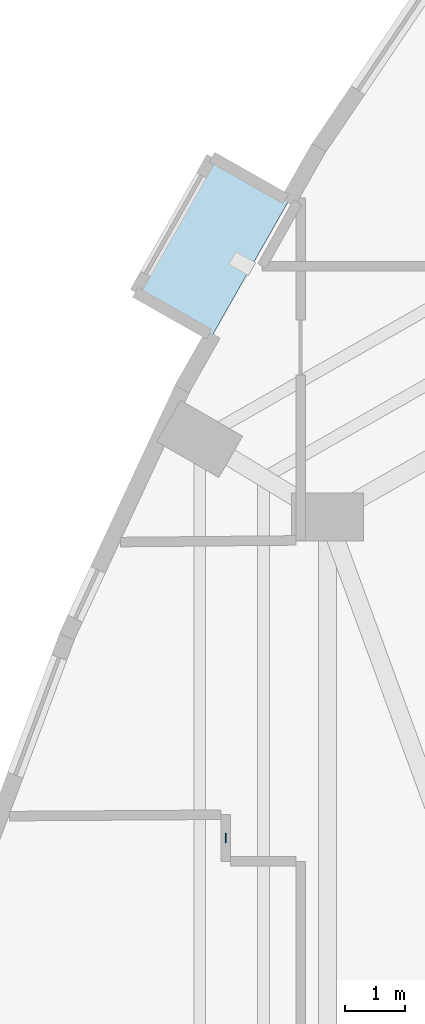
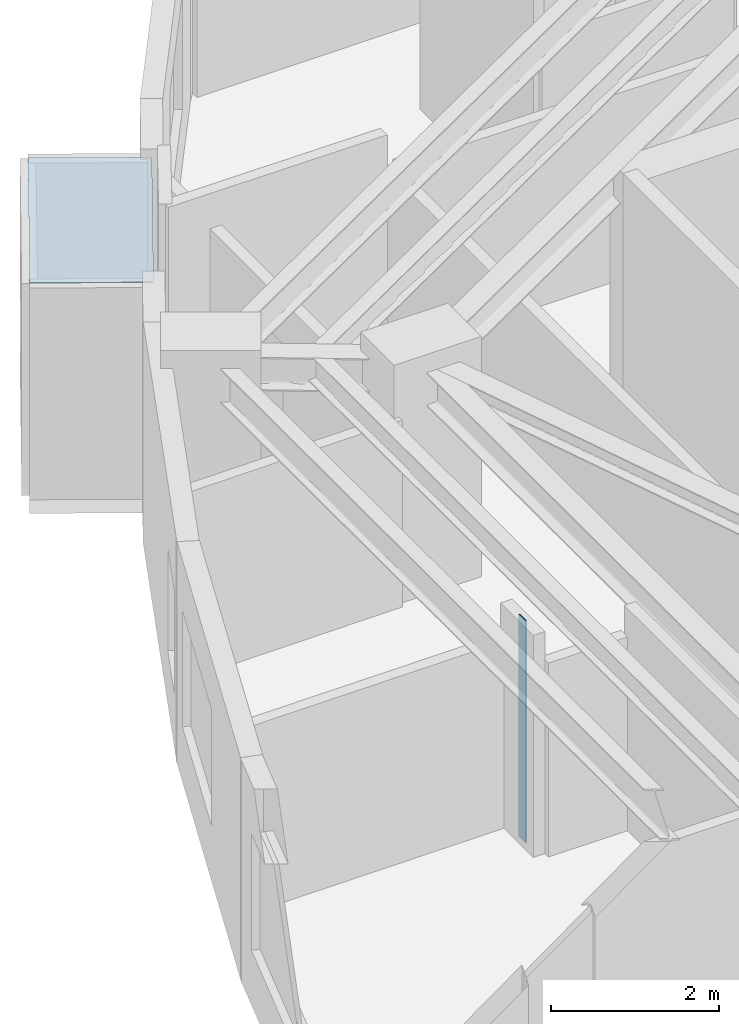
# One storey, part 2 of 12: 2 plates.
"""IFC4 building model written with IfcOpenShell, lengths in metres."""

from ifc_helpers import new_model, si_unit, direction, frame, origin, origin_2d, place, context, subcontext, project, spatial, polyline, rectangle, outline, extrude, material, layer, layer_set, type_object, element, save


model = new_model("IFC4")

# Units and contexts
model_context = context("Model", 3, precision=1e-05, world=origin(), true_north=direction((0.0, 1.0)))
body_context = subcontext(model_context, "Body", "Model", "MODEL_VIEW")
ifc_project = project(units=[si_unit("LENGTHUNIT", "METRE"), si_unit("AREAUNIT", "SQUARE_METRE"), si_unit("VOLUMEUNIT", "CUBIC_METRE"), si_unit("PLANEANGLEUNIT", "RADIAN"), si_unit("MASSUNIT", "GRAM", prefix="KILO")], contexts=[model_context])

# Site, building, storey
site_placement = place(None, origin())
site = spatial("IfcSite", under=ifc_project, at=site_placement, CompositionType="ELEMENT")
building_placement = place(site_placement, origin())
building = spatial("IfcBuilding", under=site, at=building_placement, Name="Miruveldt Soraemaru", CompositionType="ELEMENT")
storey_placement = place(building_placement, frame((0.0, 0.0, 110.89990234375)))
storey = spatial("IfcBuildingStorey", under=building, at=storey_placement, Name="L30", CompositionType="ELEMENT", Elevation=110.89990234375)

# Plates
ifc_material_1 = material(Name="Anodised aluminium EN AW-6063 T6", Category="aluminium")
ifc_layer_1 = layer(ifc_material_1, 0.02001953125, Name="Anodised aluminium EN AW-6063 T6", Category="aluminium")
ifc_layer_set_1 = layer_set([ifc_layer_1], Name="Anodised aluminium EN AW-6063 T6")
plate_type_1 = type_object("IfcPlateType", Name="PLT-PART-TRIM", PredefinedType="SHEET", material=ifc_layer_set_1)
plate_1_placement = place(storey_placement, frame((29.697021484375, 45.021484375, 0.0), z_axis=(0.0, 0.0, 1.0), x_axis=(0.0, -1.0, 0.0)))
element("IfcPlate", 1, at=plate_1_placement, inside=storey, type_object=plate_type_1, Name="L30 Partition Step Corner Trim Plate 042", PredefinedType="SHEET", context=body_context, shape_type="SweptSolid", body=[
    extrude(rectangle(XDim=0.159912109375, YDim=0.02001953125, at=origin_2d()), origin(), (0.0, 0.0, 1.0), 3.235107421875),
])
ifc_material_2 = material(Name="Standing-seam titanium-zinc sheet", Category="aluminium")
ifc_layer_2 = layer(ifc_material_2, 0.011962890625, Name="Standing-seam titanium-zinc sheet", Category="aluminium")
ifc_layer_set_2 = layer_set([ifc_layer_2], Name="Standing-seam titanium-zinc sheet")
plate_type_2 = type_object("IfcPlateType", Name="PLT-ZINC-12", PredefinedType="SHEET", material=ifc_layer_set_2)
plate_2_placement = place(storey_placement, frame((0.0, 0.0, 3.085205078125)))
element("IfcPlate", 2, at=plate_2_placement, inside=storey, type_object=plate_type_2, Name="L30 Bay Window Zinc Hood Sheet 4", PredefinedType="SHEET", context=body_context, shape_type="SweptSolid", body=[
    extrude(outline(polyline([(30.75, 55.693603515625), (29.46728515625, 53.43212890625), (28.179931640625, 54.162109375), (29.462646484375, 56.423828125), (30.75, 55.693603515625)])), origin(), (0.0, 0.0, 1.0), 0.011962890625),
])

save(model, "model.ifc")
